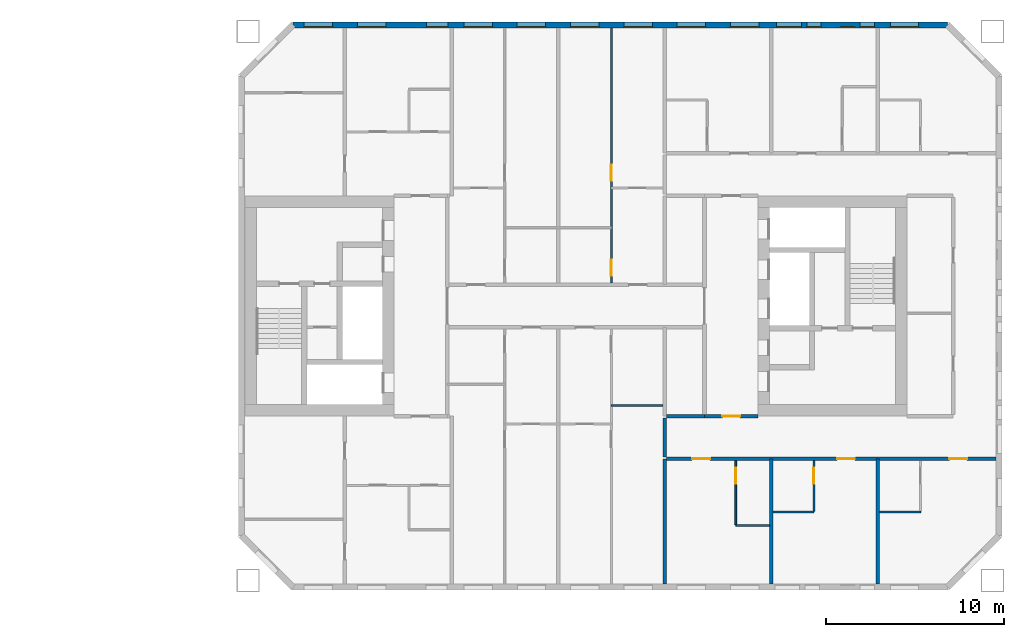
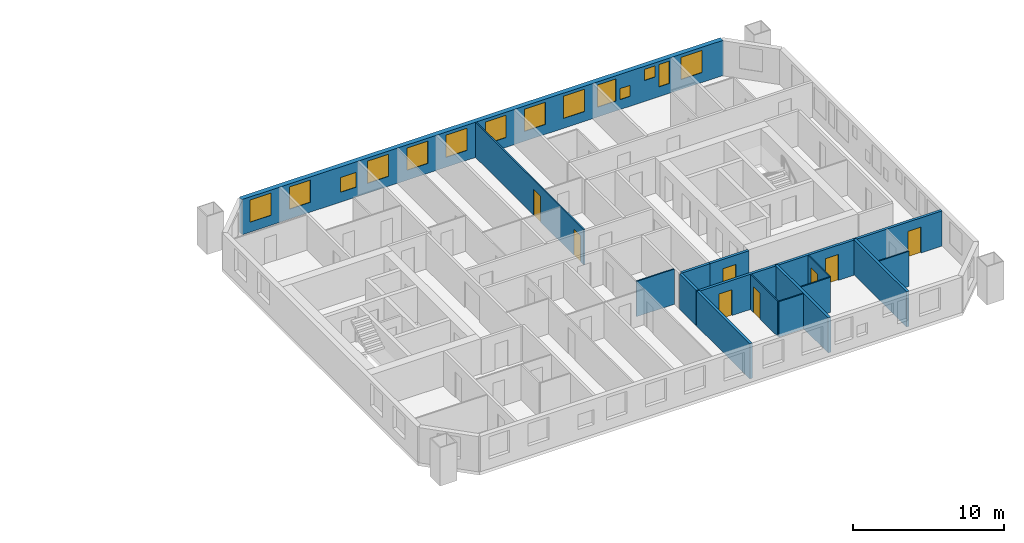
# One storey, part 12 of 17: 15 walls, 14 windows, 8 doors, 22 openings.
"""IFC4 building model written with IfcOpenShell, lengths in metres."""

from ifc_helpers import new_model, si_unit, direction, frame, frame_2d, origin, place, context, subcontext, project, spatial, rectangle, extrude, material, layer, layer_set, type_object, element, fill, save


model = new_model("IFC4")

# Units and contexts
model_context = context("Model", 3, precision=1e-05, world=origin(), true_north=direction((0.0, 1.0)))
body_context = subcontext(model_context, "Body", "Model", "MODEL_VIEW")
ifc_project = project(units=[si_unit("LENGTHUNIT", "METRE"), si_unit("AREAUNIT", "SQUARE_METRE"), si_unit("VOLUMEUNIT", "CUBIC_METRE"), si_unit("PLANEANGLEUNIT", "RADIAN"), si_unit("MASSUNIT", "GRAM", prefix="KILO")], contexts=[model_context])

# Site, building, storey
site_placement = place(None, origin())
site = spatial("IfcSite", under=ifc_project, at=site_placement, CompositionType="ELEMENT")
building_placement = place(site_placement, origin())
building = spatial("IfcBuilding", under=site, at=building_placement, Name="Tuart Gate Housing", CompositionType="ELEMENT")
storey_placement = place(building_placement, frame((0.0, 0.0, 102.60009765625)))
storey = spatial("IfcBuildingStorey", under=building, at=storey_placement, Name="L28", CompositionType="ELEMENT", Elevation=102.60009765625)

# Wall, openings, windows
ifc_material_1 = material(Name="Brick", Category="masonry")
ifc_layer_1 = layer(ifc_material_1, 0.360107421875)
ifc_layer_set_1 = layer_set([ifc_layer_1], Name="Brick pier and spandrel wall 360")
wall_type_1 = type_object("IfcWallType", Name="Brick pier and spandrel wall 360", PredefinedType="STANDARD", material=ifc_layer_set_1)
wall_1_placement = place(storey_placement, frame((170.92529296875, 85.820068359375, 0.0), z_axis=(0.0, 0.0, 1.0), x_axis=(-1.0, 0.0, 0.0)))
wall_1 = element("IfcWall", 1, at=wall_1_placement, inside=storey, type_object=wall_type_1, Name="External wall B-N L28", PredefinedType="STANDARD", context=body_context, shape_type="SweptSolid", body=[
    extrude(rectangle(XDim=36.850830078125, YDim=0.360107421875, at=frame_2d((18.42529296875, 0.0))), origin(), (0.0, 0.0, 1.0), 2.849853515625),
])
opening_1_placement = place(wall_1_placement, frame((1.62548828125, 0.0, 0.800048828125)))
opening_1 = element("IfcOpeningElement", 2, at=opening_1_placement, cuts=wall_1, Name="Opening W1", PredefinedType="OPENING", context=body_context, shape_type="SweptSolid", body=[
    extrude(rectangle(XDim=1.60009765625, YDim=1.800048828125, at=frame_2d((0.800048828125, 0.89990234375))), frame((0.0, 0.18994140625, 0.0), z_axis=(0.0, -1.0, 0.0), x_axis=(1.0, 0.0, 0.0)), (0.0, 0.0, 1.0), 0.380126953125),
])
opening_2_placement = place(wall_1_placement, frame((4.12548828125, 0.0, 0.800048828125)))
opening_2 = element("IfcOpeningElement", 3, at=opening_2_placement, cuts=wall_1, Name="Opening W1D", PredefinedType="OPENING", context=body_context, shape_type="SweptSolid", body=[
    extrude(rectangle(XDim=0.800048828125, YDim=1.800048828125, at=frame_2d((0.39990234375, 0.89990234375))), frame((0.0, 0.18994140625, 0.0), z_axis=(0.0, -1.0, 0.0), x_axis=(1.0, 0.0, 0.0)), (0.0, 0.0, 1.0), 0.380126953125),
])
opening_3_placement = place(wall_1_placement, frame((5.225341796875, 0.0, 1.699951171875)))
opening_3 = element("IfcOpeningElement", 4, at=opening_3_placement, cuts=wall_1, Name="Opening W1V", PredefinedType="OPENING", context=body_context, shape_type="SweptSolid", body=[
    extrude(rectangle(XDim=0.800048828125, YDim=0.89990234375, at=frame_2d((0.39990234375, 0.449951171875))), frame((0.0, 0.18994140625, 0.0), z_axis=(0.0, -1.0, 0.0), x_axis=(1.0, 0.0, 0.0)), (0.0, 0.0, 1.0), 0.380126953125),
])
opening_4_placement = place(wall_1_placement, frame((10.62548828125, 0.0, 0.800048828125)))
opening_4 = element("IfcOpeningElement", 5, at=opening_4_placement, cuts=wall_1, Name="Opening W1", PredefinedType="OPENING", context=body_context, shape_type="SweptSolid", body=[
    extrude(rectangle(XDim=1.60009765625, YDim=1.800048828125, at=frame_2d((0.800048828125, 0.89990234375))), frame((0.0, 0.18994140625, 0.0), z_axis=(0.0, -1.0, 0.0), x_axis=(1.0, 0.0, 0.0)), (0.0, 0.0, 1.0), 0.380126953125),
])
opening_5_placement = place(wall_1_placement, frame((13.62548828125, 0.0, 0.800048828125)))
opening_5 = element("IfcOpeningElement", 6, at=opening_5_placement, cuts=wall_1, Name="Opening W1", PredefinedType="OPENING", context=body_context, shape_type="SweptSolid", body=[
    extrude(rectangle(XDim=1.60009765625, YDim=1.800048828125, at=frame_2d((0.800048828125, 0.89990234375))), frame((0.0, 0.18994140625, 0.0), z_axis=(0.0, -1.0, 0.0), x_axis=(1.0, 0.0, 0.0)), (0.0, 0.0, 1.0), 0.380126953125),
])
opening_6_placement = place(wall_1_placement, frame((16.62548828125, 0.0, 0.800048828125)))
opening_6 = element("IfcOpeningElement", 7, at=opening_6_placement, cuts=wall_1, Name="Opening W1", PredefinedType="OPENING", context=body_context, shape_type="SweptSolid", body=[
    extrude(rectangle(XDim=1.60009765625, YDim=1.800048828125, at=frame_2d((0.800048828125, 0.89990234375))), frame((0.0, 0.18994140625, 0.0), z_axis=(0.0, -1.0, 0.0), x_axis=(1.0, 0.0, 0.0)), (0.0, 0.0, 1.0), 0.380126953125),
])
opening_7_placement = place(wall_1_placement, frame((19.62548828125, 0.0, 0.800048828125)))
opening_7 = element("IfcOpeningElement", 8, at=opening_7_placement, cuts=wall_1, Name="Opening W1", PredefinedType="OPENING", context=body_context, shape_type="SweptSolid", body=[
    extrude(rectangle(XDim=1.60009765625, YDim=1.800048828125, at=frame_2d((0.800048828125, 0.89990234375))), frame((0.0, 0.18994140625, 0.0), z_axis=(0.0, -1.0, 0.0), x_axis=(1.0, 0.0, 0.0)), (0.0, 0.0, 1.0), 0.380126953125),
])
opening_8_placement = place(wall_1_placement, frame((22.62548828125, 0.0, 0.800048828125)))
opening_8 = element("IfcOpeningElement", 9, at=opening_8_placement, cuts=wall_1, Name="Opening W1", PredefinedType="OPENING", context=body_context, shape_type="SweptSolid", body=[
    extrude(rectangle(XDim=1.60009765625, YDim=1.800048828125, at=frame_2d((0.800048828125, 0.89990234375))), frame((0.0, 0.18994140625, 0.0), z_axis=(0.0, -1.0, 0.0), x_axis=(1.0, 0.0, 0.0)), (0.0, 0.0, 1.0), 0.380126953125),
])
opening_9_placement = place(wall_1_placement, frame((25.62548828125, 0.0, 0.800048828125)))
opening_9 = element("IfcOpeningElement", 10, at=opening_9_placement, cuts=wall_1, Name="Opening W1", PredefinedType="OPENING", context=body_context, shape_type="SweptSolid", body=[
    extrude(rectangle(XDim=1.60009765625, YDim=1.800048828125, at=frame_2d((0.800048828125, 0.89990234375))), frame((0.0, 0.18994140625, 0.0), z_axis=(0.0, -1.0, 0.0), x_axis=(1.0, 0.0, 0.0)), (0.0, 0.0, 1.0), 0.380126953125),
])
opening_10_placement = place(wall_1_placement, frame((28.12548828125, 0.0, 0.800048828125)))
opening_10 = element("IfcOpeningElement", 11, at=opening_10_placement, cuts=wall_1, Name="Opening W1N", PredefinedType="OPENING", context=body_context, shape_type="SweptSolid", body=[
    extrude(rectangle(XDim=1.199951171875, YDim=1.199951171875, at=frame_2d((0.60009765625, 0.60009765625))), frame((0.0, 0.18994140625, 0.0), z_axis=(0.0, -1.0, 0.0), x_axis=(1.0, 0.0, 0.0)), (0.0, 0.0, 1.0), 0.380126953125),
])
opening_11_placement = place(wall_1_placement, frame((31.62548828125, 0.0, 0.800048828125)))
opening_11 = element("IfcOpeningElement", 12, at=opening_11_placement, cuts=wall_1, Name="Opening W1", PredefinedType="OPENING", context=body_context, shape_type="SweptSolid", body=[
    extrude(rectangle(XDim=1.60009765625, YDim=1.800048828125, at=frame_2d((0.800048828125, 0.89990234375))), frame((0.0, 0.18994140625, 0.0), z_axis=(0.0, -1.0, 0.0), x_axis=(1.0, 0.0, 0.0)), (0.0, 0.0, 1.0), 0.380126953125),
])
opening_12_placement = place(wall_1_placement, frame((34.62548828125, 0.0, 0.800048828125)))
opening_12 = element("IfcOpeningElement", 13, at=opening_12_placement, cuts=wall_1, Name="Opening W1", PredefinedType="OPENING", context=body_context, shape_type="SweptSolid", body=[
    extrude(rectangle(XDim=1.60009765625, YDim=1.800048828125, at=frame_2d((0.800048828125, 0.89990234375))), frame((0.0, 0.18994140625, 0.0), z_axis=(0.0, -1.0, 0.0), x_axis=(1.0, 0.0, 0.0)), (0.0, 0.0, 1.0), 0.380126953125),
])
opening_13_placement = place(wall_1_placement, frame((7.12548828125, 0.0, 0.800048828125)))
opening_13 = element("IfcOpeningElement", 14, at=opening_13_placement, cuts=wall_1, Name="Opening W1V", PredefinedType="OPENING", context=body_context, shape_type="SweptSolid", body=[
    extrude(rectangle(XDim=0.800048828125, YDim=0.89990234375, at=frame_2d((0.39990234375, 0.449951171875))), frame((0.0, 0.18994140625, 0.0), z_axis=(0.0, -1.0, 0.0), x_axis=(1.0, 0.0, 0.0)), (0.0, 0.0, 1.0), 0.380126953125),
])
opening_14_placement = place(wall_1_placement, frame((8.225341796875, 0.0, 0.800048828125)))
opening_14 = element("IfcOpeningElement", 15, at=opening_14_placement, cuts=wall_1, Name="Opening W1A", PredefinedType="OPENING", context=body_context, shape_type="SweptSolid", body=[
    extrude(rectangle(XDim=1.39990234375, YDim=1.800048828125, at=frame_2d((0.699951171875, 0.89990234375))), frame((0.0, 0.18994140625, 0.0), z_axis=(0.0, -1.0, 0.0), x_axis=(1.0, 0.0, 0.0)), (0.0, 0.0, 1.0), 0.380126953125),
])
ifc_material_2 = material(Name="Aluminium frame with clear glass", Category="aluminium")
window_type_1 = type_object("IfcWindowType", Name="Punched window 1200 x 1200", PartitioningType="SINGLE_PANEL", PredefinedType="WINDOW", material=ifc_material_2)
window_1_placement = place(opening_10_placement, origin())
window_1 = element("IfcWindow", 16, at=window_1_placement, inside=storey, type_object=window_type_1, Name="Window W1N", OverallHeight=1.199951171875, OverallWidth=1.199951171875, PartitioningType="SINGLE_PANEL", PredefinedType="WINDOW", context=body_context, shape_type="SweptSolid", body=[
    extrude(rectangle(XDim=1.199951171875, YDim=1.199951171875, at=frame_2d((0.60009765625, 0.60009765625))), frame((0.0, 0.150146484375, 0.0), z_axis=(0.0, -1.0, 0.0), x_axis=(1.0, 0.0, 0.0)), (0.0, 0.0, 1.0), 0.06005859375),
])
fill(opening_10, window_1)
ifc_material_3 = material(Name="Aluminium frame with clear glass", Category="aluminium")
window_type_2 = type_object("IfcWindowType", Name="Punched window 1400 x 1800", PartitioningType="SINGLE_PANEL", PredefinedType="WINDOW", material=ifc_material_3)
window_2_placement = place(opening_14_placement, origin())
window_2 = element("IfcWindow", 17, at=window_2_placement, inside=storey, type_object=window_type_2, Name="Window W1A", OverallHeight=1.800048828125, OverallWidth=1.39990234375, PartitioningType="SINGLE_PANEL", PredefinedType="WINDOW", context=body_context, shape_type="SweptSolid", body=[
    extrude(rectangle(XDim=1.39990234375, YDim=1.800048828125, at=frame_2d((0.699951171875, 0.89990234375))), frame((0.0, 0.150146484375, 0.0), z_axis=(0.0, -1.0, 0.0), x_axis=(1.0, 0.0, 0.0)), (0.0, 0.0, 1.0), 0.06005859375),
])
fill(opening_14, window_2)
ifc_material_4 = material(Name="Aluminium frame with clear glass", Category="aluminium")
window_type_3 = type_object("IfcWindowType", Name="Punched window 1600 x 1800", PartitioningType="SINGLE_PANEL", PredefinedType="WINDOW", material=ifc_material_4)
window_3_placement = place(opening_1_placement, origin())
window_3 = element("IfcWindow", 18, at=window_3_placement, inside=storey, type_object=window_type_3, Name="Window W1", OverallHeight=1.800048828125, OverallWidth=1.60009765625, PartitioningType="SINGLE_PANEL", PredefinedType="WINDOW", context=body_context, shape_type="SweptSolid", body=[
    extrude(rectangle(XDim=1.60009765625, YDim=1.800048828125, at=frame_2d((0.800048828125, 0.89990234375))), frame((0.0, 0.150146484375, 0.0), z_axis=(0.0, -1.0, 0.0), x_axis=(1.0, 0.0, 0.0)), (0.0, 0.0, 1.0), 0.06005859375),
])
fill(opening_1, window_3)
window_4_placement = place(opening_4_placement, origin())
window_4 = element("IfcWindow", 19, at=window_4_placement, inside=storey, type_object=window_type_3, Name="Window W1", OverallHeight=1.800048828125, OverallWidth=1.60009765625, PartitioningType="SINGLE_PANEL", PredefinedType="WINDOW", context=body_context, shape_type="SweptSolid", body=[
    extrude(rectangle(XDim=1.60009765625, YDim=1.800048828125, at=frame_2d((0.800048828125, 0.89990234375))), frame((0.0, 0.150146484375, 0.0), z_axis=(0.0, -1.0, 0.0), x_axis=(1.0, 0.0, 0.0)), (0.0, 0.0, 1.0), 0.06005859375),
])
fill(opening_4, window_4)
window_5_placement = place(opening_5_placement, origin())
window_5 = element("IfcWindow", 20, at=window_5_placement, inside=storey, type_object=window_type_3, Name="Window W1", OverallHeight=1.800048828125, OverallWidth=1.60009765625, PartitioningType="SINGLE_PANEL", PredefinedType="WINDOW", context=body_context, shape_type="SweptSolid", body=[
    extrude(rectangle(XDim=1.60009765625, YDim=1.800048828125, at=frame_2d((0.800048828125, 0.89990234375))), frame((0.0, 0.150146484375, 0.0), z_axis=(0.0, -1.0, 0.0), x_axis=(1.0, 0.0, 0.0)), (0.0, 0.0, 1.0), 0.06005859375),
])
fill(opening_5, window_5)
window_6_placement = place(opening_6_placement, origin())
window_6 = element("IfcWindow", 21, at=window_6_placement, inside=storey, type_object=window_type_3, Name="Window W1", OverallHeight=1.800048828125, OverallWidth=1.60009765625, PartitioningType="SINGLE_PANEL", PredefinedType="WINDOW", context=body_context, shape_type="SweptSolid", body=[
    extrude(rectangle(XDim=1.60009765625, YDim=1.800048828125, at=frame_2d((0.800048828125, 0.89990234375))), frame((0.0, 0.150146484375, 0.0), z_axis=(0.0, -1.0, 0.0), x_axis=(1.0, 0.0, 0.0)), (0.0, 0.0, 1.0), 0.06005859375),
])
fill(opening_6, window_6)
window_7_placement = place(opening_7_placement, origin())
window_7 = element("IfcWindow", 22, at=window_7_placement, inside=storey, type_object=window_type_3, Name="Window W1", OverallHeight=1.800048828125, OverallWidth=1.60009765625, PartitioningType="SINGLE_PANEL", PredefinedType="WINDOW", context=body_context, shape_type="SweptSolid", body=[
    extrude(rectangle(XDim=1.60009765625, YDim=1.800048828125, at=frame_2d((0.800048828125, 0.89990234375))), frame((0.0, 0.150146484375, 0.0), z_axis=(0.0, -1.0, 0.0), x_axis=(1.0, 0.0, 0.0)), (0.0, 0.0, 1.0), 0.06005859375),
])
fill(opening_7, window_7)
window_8_placement = place(opening_8_placement, origin())
window_8 = element("IfcWindow", 23, at=window_8_placement, inside=storey, type_object=window_type_3, Name="Window W1", OverallHeight=1.800048828125, OverallWidth=1.60009765625, PartitioningType="SINGLE_PANEL", PredefinedType="WINDOW", context=body_context, shape_type="SweptSolid", body=[
    extrude(rectangle(XDim=1.60009765625, YDim=1.800048828125, at=frame_2d((0.800048828125, 0.89990234375))), frame((0.0, 0.150146484375, 0.0), z_axis=(0.0, -1.0, 0.0), x_axis=(1.0, 0.0, 0.0)), (0.0, 0.0, 1.0), 0.06005859375),
])
fill(opening_8, window_8)
window_9_placement = place(opening_9_placement, origin())
window_9 = element("IfcWindow", 24, at=window_9_placement, inside=storey, type_object=window_type_3, Name="Window W1", OverallHeight=1.800048828125, OverallWidth=1.60009765625, PartitioningType="SINGLE_PANEL", PredefinedType="WINDOW", context=body_context, shape_type="SweptSolid", body=[
    extrude(rectangle(XDim=1.60009765625, YDim=1.800048828125, at=frame_2d((0.800048828125, 0.89990234375))), frame((0.0, 0.150146484375, 0.0), z_axis=(0.0, -1.0, 0.0), x_axis=(1.0, 0.0, 0.0)), (0.0, 0.0, 1.0), 0.06005859375),
])
fill(opening_9, window_9)
window_10_placement = place(opening_11_placement, origin())
window_10 = element("IfcWindow", 25, at=window_10_placement, inside=storey, type_object=window_type_3, Name="Window W1", OverallHeight=1.800048828125, OverallWidth=1.60009765625, PartitioningType="SINGLE_PANEL", PredefinedType="WINDOW", context=body_context, shape_type="SweptSolid", body=[
    extrude(rectangle(XDim=1.60009765625, YDim=1.800048828125, at=frame_2d((0.800048828125, 0.89990234375))), frame((0.0, 0.150146484375, 0.0), z_axis=(0.0, -1.0, 0.0), x_axis=(1.0, 0.0, 0.0)), (0.0, 0.0, 1.0), 0.06005859375),
])
fill(opening_11, window_10)
window_11_placement = place(opening_12_placement, origin())
window_11 = element("IfcWindow", 26, at=window_11_placement, inside=storey, type_object=window_type_3, Name="Window W1", OverallHeight=1.800048828125, OverallWidth=1.60009765625, PartitioningType="SINGLE_PANEL", PredefinedType="WINDOW", context=body_context, shape_type="SweptSolid", body=[
    extrude(rectangle(XDim=1.60009765625, YDim=1.800048828125, at=frame_2d((0.800048828125, 0.89990234375))), frame((0.0, 0.150146484375, 0.0), z_axis=(0.0, -1.0, 0.0), x_axis=(1.0, 0.0, 0.0)), (0.0, 0.0, 1.0), 0.06005859375),
])
fill(opening_12, window_11)
ifc_material_5 = material(Name="Aluminium frame with clear glass", Category="aluminium")
window_type_4 = type_object("IfcWindowType", Name="Punched window 800 x 1800", PartitioningType="SINGLE_PANEL", PredefinedType="WINDOW", material=ifc_material_5)
window_12_placement = place(opening_2_placement, origin())
window_12 = element("IfcWindow", 27, at=window_12_placement, inside=storey, type_object=window_type_4, Name="Window W1D", OverallHeight=1.800048828125, OverallWidth=0.800048828125, PartitioningType="SINGLE_PANEL", PredefinedType="WINDOW", context=body_context, shape_type="SweptSolid", body=[
    extrude(rectangle(XDim=0.800048828125, YDim=1.800048828125, at=frame_2d((0.39990234375, 0.89990234375))), frame((0.0, 0.150146484375, 0.0), z_axis=(0.0, -1.0, 0.0), x_axis=(1.0, 0.0, 0.0)), (0.0, 0.0, 1.0), 0.06005859375),
])
fill(opening_2, window_12)
ifc_material_6 = material(Name="Aluminium frame with clear glass", Category="aluminium")
window_type_5 = type_object("IfcWindowType", Name="Punched window 800 x 900", PartitioningType="SINGLE_PANEL", PredefinedType="WINDOW", material=ifc_material_6)
window_13_placement = place(opening_3_placement, origin())
window_13 = element("IfcWindow", 28, at=window_13_placement, inside=storey, type_object=window_type_5, Name="Window W1V", OverallHeight=0.89990234375, OverallWidth=0.800048828125, PartitioningType="SINGLE_PANEL", PredefinedType="WINDOW", context=body_context, shape_type="SweptSolid", body=[
    extrude(rectangle(XDim=0.800048828125, YDim=0.89990234375, at=frame_2d((0.39990234375, 0.449951171875))), frame((0.0, 0.150146484375, 0.0), z_axis=(0.0, -1.0, 0.0), x_axis=(1.0, 0.0, 0.0)), (0.0, 0.0, 1.0), 0.06005859375),
])
fill(opening_3, window_13)
window_14_placement = place(opening_13_placement, origin())
window_14 = element("IfcWindow", 29, at=window_14_placement, inside=storey, type_object=window_type_5, Name="Window W1V", OverallHeight=0.89990234375, OverallWidth=0.800048828125, PartitioningType="SINGLE_PANEL", PredefinedType="WINDOW", context=body_context, shape_type="SweptSolid", body=[
    extrude(rectangle(XDim=0.800048828125, YDim=0.89990234375, at=frame_2d((0.39990234375, 0.449951171875))), frame((0.0, 0.150146484375, 0.0), z_axis=(0.0, -1.0, 0.0), x_axis=(1.0, 0.0, 0.0)), (0.0, 0.0, 1.0), 0.06005859375),
])
fill(opening_13, window_14)

# Wall, openings, doors
ifc_material_7 = material(Name="Concrete masonry 15 MPa", Category="masonry")
ifc_layer_2 = layer(ifc_material_7, 0.199951171875)
ifc_layer_set_2 = layer_set([ifc_layer_2], Name="Corridor wall masonry 200")
wall_type_2 = type_object("IfcWallType", Name="Corridor wall masonry 200", PredefinedType="PARTITIONING", material=ifc_layer_set_2)
wall_2_placement = place(storey_placement, frame((155.10009765625, 61.39990234375, 0.0), z_axis=(0.0, 0.0, 1.0), x_axis=(1.0, 0.0, 0.0)))
wall_2 = element("IfcWall", 30, at=wall_2_placement, inside=storey, type_object=wall_type_2, Name="Corridor wall masonry 200", PredefinedType="PARTITIONING", context=body_context, shape_type="SweptSolid", body=[
    extrude(rectangle(XDim=18.539794921875, YDim=0.199951171875, at=frame_2d((9.27001953125, 0.0))), origin(), (0.0, 0.0, 1.0), 2.849853515625),
])
opening_15_placement = place(wall_2_placement, frame((1.449951171875, 0.0, 0.0)))
opening_15 = element("IfcOpeningElement", 31, at=opening_15_placement, cuts=wall_2, Name="Opening D1168", PredefinedType="OPENING", context=body_context, shape_type="SweptSolid", body=[
    extrude(rectangle(XDim=1.0, YDim=2.10009765625, at=frame_2d((0.5, 1.050048828125))), frame((0.0, 0.10986328125, 0.0), z_axis=(0.0, -1.0, 0.0), x_axis=(1.0, 0.0, 0.0)), (0.0, 0.0, 1.0), 0.219970703125),
])
opening_16_placement = place(wall_2_placement, frame((9.60009765625, 0.0, 0.0)))
opening_16 = element("IfcOpeningElement", 32, at=opening_16_placement, cuts=wall_2, Name="Opening D1169", PredefinedType="OPENING", context=body_context, shape_type="SweptSolid", body=[
    extrude(rectangle(XDim=1.0, YDim=2.10009765625, at=frame_2d((0.5, 1.050048828125))), frame((0.0, 0.10986328125, 0.0), z_axis=(0.0, -1.0, 0.0), x_axis=(1.0, 0.0, 0.0)), (0.0, 0.0, 1.0), 0.219970703125),
])
opening_17_placement = place(wall_2_placement, frame((15.919921875, 0.0, 0.0)))
opening_17 = element("IfcOpeningElement", 33, at=opening_17_placement, cuts=wall_2, Name="Opening D1170", PredefinedType="OPENING", context=body_context, shape_type="SweptSolid", body=[
    extrude(rectangle(XDim=1.0, YDim=2.10009765625, at=frame_2d((0.5, 1.050048828125))), frame((0.0, 0.10986328125, 0.0), z_axis=(0.0, -1.0, 0.0), x_axis=(1.0, 0.0, 0.0)), (0.0, 0.0, 1.0), 0.219970703125),
])
ifc_material_8 = material(Name="Timber door leaf in steel frame", Category="steel")
door_type_1 = type_object("IfcDoorType", Name="Flat entrance door 1000", OperationType="SINGLE_SWING_LEFT", PredefinedType="DOOR", material=ifc_material_8)
door_1_placement = place(opening_15_placement, frame((1.0, 0.0, 0.0), z_axis=(0.0, 0.0, 1.0), x_axis=(-1.0, 0.0, 0.0)))
door_1 = element("IfcDoor", 34, at=door_1_placement, inside=storey, type_object=door_type_1, Name="Flat entrance door", OperationType="SINGLE_SWING_LEFT", OverallHeight=2.10009765625, OverallWidth=1.0, PredefinedType="DOOR", context=body_context, shape_type="SweptSolid", body=[
    extrude(rectangle(XDim=1.0, YDim=2.10009765625, at=frame_2d((0.5, 1.050048828125))), frame((0.0, 0.025146484375, 0.0), z_axis=(0.0, -1.0, 0.0), x_axis=(1.0, 0.0, 0.0)), (0.0, 0.0, 1.0), 0.050048828125),
])
fill(opening_15, door_1)
ifc_material_9 = material(Name="Timber door leaf in steel frame", Category="steel")
door_type_2 = type_object("IfcDoorType", Name="Flat entrance door 1000 RH", OperationType="SINGLE_SWING_RIGHT", PredefinedType="DOOR", material=ifc_material_9)
door_2_placement = place(opening_16_placement, frame((1.0, 0.0, 0.0), z_axis=(0.0, 0.0, 1.0), x_axis=(-1.0, 0.0, 0.0)))
door_2 = element("IfcDoor", 35, at=door_2_placement, inside=storey, type_object=door_type_2, Name="Flat entrance door", OperationType="SINGLE_SWING_RIGHT", OverallHeight=2.10009765625, OverallWidth=1.0, PredefinedType="DOOR", context=body_context, shape_type="SweptSolid", body=[
    extrude(rectangle(XDim=1.0, YDim=2.10009765625, at=frame_2d((0.5, 1.050048828125))), frame((0.0, 0.025146484375, 0.0), z_axis=(0.0, -1.0, 0.0), x_axis=(1.0, 0.0, 0.0)), (0.0, 0.0, 1.0), 0.050048828125),
])
fill(opening_16, door_2)
door_3_placement = place(opening_17_placement, frame((1.0, 0.0, 0.0), z_axis=(0.0, 0.0, 1.0), x_axis=(-1.0, 0.0, 0.0)))
door_3 = element("IfcDoor", 36, at=door_3_placement, inside=storey, type_object=door_type_2, Name="Flat entrance door", OperationType="SINGLE_SWING_RIGHT", OverallHeight=2.10009765625, OverallWidth=1.0, PredefinedType="DOOR", context=body_context, shape_type="SweptSolid", body=[
    extrude(rectangle(XDim=1.0, YDim=2.10009765625, at=frame_2d((0.5, 1.050048828125))), frame((0.0, 0.025146484375, 0.0), z_axis=(0.0, -1.0, 0.0), x_axis=(1.0, 0.0, 0.0)), (0.0, 0.0, 1.0), 0.050048828125),
])
fill(opening_17, door_3)

# Walls
wall_3_placement = place(storey_placement, frame((155.10009765625, 63.800048828125, 0.0), z_axis=(0.0, 0.0, 1.0), x_axis=(1.0, 0.0, 0.0)))
element("IfcWall", 37, at=wall_3_placement, inside=storey, type_object=wall_type_2, Name="Corridor wall masonry 200", PredefinedType="PARTITIONING", context=body_context, shape_type="SweptSolid", body=[
    extrude(rectangle(XDim=2.139892578125, YDim=0.199951171875, at=frame_2d((1.06982421875, 0.0))), origin(), (0.0, 0.0, 1.0), 2.849853515625),
])
wall_4_placement = place(storey_placement, frame((155.0, 61.5, 0.0), z_axis=(0.0, 0.0, 1.0), x_axis=(0.0, 1.0, 0.0)))
element("IfcWall", 38, at=wall_4_placement, inside=storey, type_object=wall_type_2, Name="Corridor wall masonry 200", PredefinedType="PARTITIONING", context=body_context, shape_type="SweptSolid", body=[
    extrude(rectangle(XDim=2.199951171875, YDim=0.199951171875, at=frame_2d((1.10009765625, 0.0))), origin(), (0.0, 0.0, 1.0), 2.849853515625),
])

# Wall, opening, door
ifc_material_10 = material(Name="Concrete masonry 15 MPa", Category="masonry")
ifc_layer_3 = layer(ifc_material_10, 0.199951171875)
ifc_layer_set_3 = layer_set([ifc_layer_3], Name="Enclosure wall masonry 200")
wall_type_3 = type_object("IfcWallType", Name="Enclosure wall masonry 200", PredefinedType="PARTITIONING", material=ifc_layer_set_3)
wall_5_placement = place(storey_placement, frame((157.239990234375, 63.800048828125, 0.0), z_axis=(0.0, 0.0, 1.0), x_axis=(1.0, 0.0, 0.0)))
wall_5 = element("IfcWall", 39, at=wall_5_placement, inside=storey, type_object=wall_type_3, Name="Enclosure wall masonry 200", PredefinedType="PARTITIONING", context=body_context, shape_type="SweptSolid", body=[
    extrude(rectangle(XDim=3.0, YDim=0.199951171875, at=frame_2d((1.5, 0.0))), origin(), (0.0, 0.0, 1.0), 2.849853515625),
])
opening_18_placement = place(wall_5_placement, frame((1.0, 0.0, 0.0)))
opening_18 = element("IfcOpeningElement", 40, at=opening_18_placement, cuts=wall_5, Name="Opening D1161", PredefinedType="OPENING", context=body_context, shape_type="SweptSolid", body=[
    extrude(rectangle(XDim=1.0, YDim=2.10009765625, at=frame_2d((0.5, 1.050048828125))), frame((0.0, 0.10986328125, 0.0), z_axis=(0.0, -1.0, 0.0), x_axis=(1.0, 0.0, 0.0)), (0.0, 0.0, 1.0), 0.219970703125),
])
ifc_material_11 = material(Name="Timber door leaf in steel frame", Category="steel")
door_type_3 = type_object("IfcDoorType", Name="Fire door 1000 RH", OperationType="SINGLE_SWING_RIGHT", PredefinedType="DOOR", material=ifc_material_11)
door_4_placement = place(opening_18_placement, frame((1.0, 0.0, 0.0), z_axis=(0.0, 0.0, 1.0), x_axis=(-1.0, 0.0, 0.0)))
door_4 = element("IfcDoor", 41, at=door_4_placement, inside=storey, type_object=door_type_3, Name="Fire door", OperationType="SINGLE_SWING_RIGHT", OverallHeight=2.10009765625, OverallWidth=1.0, PredefinedType="DOOR", context=body_context, shape_type="SweptSolid", body=[
    extrude(rectangle(XDim=1.0, YDim=2.10009765625, at=frame_2d((0.5, 1.050048828125))), frame((0.0, 0.025146484375, 0.0), z_axis=(0.0, -1.0, 0.0), x_axis=(1.0, 0.0, 0.0)), (0.0, 0.0, 1.0), 0.050048828125),
])
fill(opening_18, door_4)

# Walls
ifc_material_12 = material(Name="Gypsum board on steel studs", Category="steel")
ifc_layer_4 = layer(ifc_material_12, 0.10009765625)
ifc_layer_set_4 = layer_set([ifc_layer_4], Name="Partition 100")
wall_type_4 = type_object("IfcWallType", Name="Partition 100", PredefinedType="PARTITIONING", material=ifc_layer_set_4)
wall_6_placement = place(storey_placement, frame((159.0, 57.64990234375, 0.0), z_axis=(0.0, 0.0, 1.0), x_axis=(1.0, 0.0, 0.0)))
element("IfcWall", 42, at=wall_6_placement, inside=storey, type_object=wall_type_4, Name="Partition 100", PredefinedType="PARTITIONING", context=body_context, shape_type="SweptSolid", body=[
    extrude(rectangle(XDim=1.89990234375, YDim=0.10009765625, at=frame_2d((0.949951171875, 0.0))), origin(), (0.0, 0.0, 1.0), 2.849853515625),
])
for number, where, z_axis, x_axis, name in (
    (43, (161.10009765625, 58.39990234375, 0.0), (0.0, 0.0, 1.0), (1.0, 0.0, 0.0), "Partition 100"),
    (44, (167.10009765625, 58.39990234375, 0.0), (0.0, 0.0, 1.0), (1.0, 0.0, 0.0), "Partition 100"),
):
    element("IfcWall", number, at=place(storey_placement, frame(where, z_axis=z_axis, x_axis=x_axis)), inside=storey, type_object=wall_type_4, Name=name, PredefinedType="PARTITIONING", context=body_context, shape_type="SweptSolid", body=[
        extrude(rectangle(XDim=2.2998046875, YDim=0.10009765625, at=frame_2d((1.14990234375, 0.0))), origin(), (0.0, 0.0, 1.0), 2.849853515625),
    ])
wall_7_placement = place(storey_placement, frame((152.0, 64.39990234375, 0.0), z_axis=(0.0, 0.0, 1.0), x_axis=(1.0, 0.0, 0.0)))
element("IfcWall", 45, at=wall_7_placement, inside=storey, type_object=wall_type_4, Name="Partition 100", PredefinedType="PARTITIONING", context=body_context, shape_type="SweptSolid", body=[
    extrude(rectangle(XDim=2.89990234375, YDim=0.10009765625, at=frame_2d((1.449951171875, 0.0))), origin(), (0.0, 0.0, 1.0), 2.849853515625),
])

# Wall, openings, doors
wall_8_placement = place(storey_placement, frame((152.0, 71.300048828125, 0.0), z_axis=(0.0, 0.0, 1.0), x_axis=(0.0, 1.0, 0.0)))
wall_8 = element("IfcWall", 46, at=wall_8_placement, inside=storey, type_object=wall_type_4, Name="Partition 100", PredefinedType="PARTITIONING", context=body_context, shape_type="SweptSolid", body=[
    extrude(rectangle(XDim=14.33984375, YDim=0.10009765625, at=frame_2d((7.169921875, 0.0))), origin(), (0.0, 0.0, 1.0), 2.849853515625),
])
opening_19_placement = place(wall_8_placement, frame((5.739990234375, 0.0, 0.0)))
opening_19 = element("IfcOpeningElement", 47, at=opening_19_placement, cuts=wall_8, Name="Opening D1138", PredefinedType="OPENING", context=body_context, shape_type="SweptSolid", body=[
    extrude(rectangle(XDim=0.89990234375, YDim=2.10009765625, at=frame_2d((0.449951171875, 1.050048828125))), frame((0.0, 0.06005859375, 0.0), z_axis=(0.0, -1.0, 0.0), x_axis=(1.0, 0.0, 0.0)), (0.0, 0.0, 1.0), 0.1201171875),
])
opening_20_placement = place(wall_8_placement, frame((0.39990234375, 0.0, 0.0)))
opening_20 = element("IfcOpeningElement", 48, at=opening_20_placement, cuts=wall_8, Name="Opening D1137", PredefinedType="OPENING", context=body_context, shape_type="SweptSolid", body=[
    extrude(rectangle(XDim=0.89990234375, YDim=2.10009765625, at=frame_2d((0.449951171875, 1.050048828125))), frame((0.0, 0.06005859375, 0.0), z_axis=(0.0, -1.0, 0.0), x_axis=(1.0, 0.0, 0.0)), (0.0, 0.0, 1.0), 0.1201171875),
])
ifc_material_13 = material(Name="Timber door leaf in steel frame", Category="steel")
door_type_4 = type_object("IfcDoorType", Name="Bathroom door 900", OperationType="SINGLE_SWING_LEFT", PredefinedType="DOOR", material=ifc_material_13)
door_5_placement = place(opening_20_placement, origin())
door_5 = element("IfcDoor", 49, at=door_5_placement, inside=storey, type_object=door_type_4, Name="Bathroom door", OperationType="SINGLE_SWING_LEFT", OverallHeight=2.10009765625, OverallWidth=0.89990234375, PredefinedType="DOOR", context=body_context, shape_type="SweptSolid", body=[
    extrude(rectangle(XDim=0.89990234375, YDim=2.10009765625, at=frame_2d((0.449951171875, 1.050048828125))), frame((0.0, 0.02490234375, 0.0), z_axis=(0.0, -1.0, 0.0), x_axis=(1.0, 0.0, 0.0)), (0.0, 0.0, 1.0), 0.050048828125),
])
fill(opening_20, door_5)
ifc_material_14 = material(Name="Timber door leaf in steel frame", Category="steel")
door_type_5 = type_object("IfcDoorType", Name="Internal door 900", OperationType="SINGLE_SWING_LEFT", PredefinedType="DOOR", material=ifc_material_14)
door_6_placement = place(opening_19_placement, origin())
door_6 = element("IfcDoor", 50, at=door_6_placement, inside=storey, type_object=door_type_5, Name="Internal door", OperationType="SINGLE_SWING_LEFT", OverallHeight=2.10009765625, OverallWidth=0.89990234375, PredefinedType="DOOR", context=body_context, shape_type="SweptSolid", body=[
    extrude(rectangle(XDim=0.89990234375, YDim=2.10009765625, at=frame_2d((0.449951171875, 1.050048828125))), frame((0.0, 0.02490234375, 0.0), z_axis=(0.0, -1.0, 0.0), x_axis=(1.0, 0.0, 0.0)), (0.0, 0.0, 1.0), 0.050048828125),
])
fill(opening_19, door_6)

# Wall, opening, door
wall_9_placement = place(storey_placement, frame((159.0, 57.699951171875, 0.0), z_axis=(0.0, 0.0, 1.0), x_axis=(0.0, 1.0, 0.0)))
wall_9 = element("IfcWall", 51, at=wall_9_placement, inside=storey, type_object=wall_type_4, Name="Partition 100", PredefinedType="PARTITIONING", context=body_context, shape_type="SweptSolid", body=[
    extrude(rectangle(XDim=3.60009765625, YDim=0.10009765625, at=frame_2d((1.800048828125, 0.0))), origin(), (0.0, 0.0, 1.0), 2.849853515625),
])
opening_21_placement = place(wall_9_placement, frame((2.300048828125, 0.0, 0.0)))
opening_21 = element("IfcOpeningElement", 52, at=opening_21_placement, cuts=wall_9, Name="Opening D1175", PredefinedType="OPENING", context=body_context, shape_type="SweptSolid", body=[
    extrude(rectangle(XDim=0.89990234375, YDim=2.10009765625, at=frame_2d((0.449951171875, 1.050048828125))), frame((0.0, 0.06005859375, 0.0), z_axis=(0.0, -1.0, 0.0), x_axis=(1.0, 0.0, 0.0)), (0.0, 0.0, 1.0), 0.1201171875),
])
door_7_placement = place(opening_21_placement, frame((0.89990234375, 0.0, 0.0), z_axis=(0.0, 0.0, 1.0), x_axis=(-1.0, 0.0, 0.0)))
door_7 = element("IfcDoor", 53, at=door_7_placement, inside=storey, type_object=door_type_4, Name="Bathroom door", OperationType="SINGLE_SWING_LEFT", OverallHeight=2.10009765625, OverallWidth=0.89990234375, PredefinedType="DOOR", context=body_context, shape_type="SweptSolid", body=[
    extrude(rectangle(XDim=0.89990234375, YDim=2.10009765625, at=frame_2d((0.449951171875, 1.050048828125))), frame((0.0, 0.025146484375, 0.0), z_axis=(0.0, -1.0, 0.0), x_axis=(1.0, 0.0, 0.0)), (0.0, 0.0, 1.0), 0.050048828125),
])
fill(opening_21, door_7)

wall_10_placement = place(storey_placement, frame((163.39990234375, 58.449951171875, 0.0), z_axis=(0.0, 0.0, 1.0), x_axis=(0.0, 1.0, 0.0)))
wall_10 = element("IfcWall", 54, at=wall_10_placement, inside=storey, type_object=wall_type_4, Name="Partition 100", PredefinedType="PARTITIONING", context=body_context, shape_type="SweptSolid", body=[
    extrude(rectangle(XDim=2.85009765625, YDim=0.10009765625, at=frame_2d((1.425048828125, 0.0))), origin(), (0.0, 0.0, 1.0), 2.849853515625),
])
opening_22_placement = place(wall_10_placement, frame((1.550048828125, 0.0, 0.0)))
opening_22 = element("IfcOpeningElement", 55, at=opening_22_placement, cuts=wall_10, Name="Opening D1173", PredefinedType="OPENING", context=body_context, shape_type="SweptSolid", body=[
    extrude(rectangle(XDim=0.89990234375, YDim=2.10009765625, at=frame_2d((0.449951171875, 1.050048828125))), frame((0.0, 0.06005859375, 0.0), z_axis=(0.0, -1.0, 0.0), x_axis=(1.0, 0.0, 0.0)), (0.0, 0.0, 1.0), 0.1201171875),
])
ifc_material_15 = material(Name="Timber door leaf in steel frame", Category="steel")
door_type_6 = type_object("IfcDoorType", Name="Bathroom door 900 RH", OperationType="SINGLE_SWING_RIGHT", PredefinedType="DOOR", material=ifc_material_15)
door_8_placement = place(opening_22_placement, origin())
door_8 = element("IfcDoor", 56, at=door_8_placement, inside=storey, type_object=door_type_6, Name="Bathroom door", OperationType="SINGLE_SWING_RIGHT", OverallHeight=2.10009765625, OverallWidth=0.89990234375, PredefinedType="DOOR", context=body_context, shape_type="SweptSolid", body=[
    extrude(rectangle(XDim=0.89990234375, YDim=2.10009765625, at=frame_2d((0.449951171875, 1.050048828125))), frame((0.0, 0.02490234375, 0.0), z_axis=(0.0, -1.0, 0.0), x_axis=(1.0, 0.0, 0.0)), (0.0, 0.0, 1.0), 0.050048828125),
])
fill(opening_22, door_8)

# Walls
ifc_material_16 = material(Name="Concrete C40", Category="concrete")
ifc_layer_5 = layer(ifc_material_16, 0.199951171875)
ifc_layer_set_5 = layer_set([ifc_layer_5], Name="Party wall concrete C40 200")
wall_type_5 = type_object("IfcWallType", Name="Party wall concrete C40 200", PredefinedType="SOLIDWALL", material=ifc_layer_set_5)
for number, where, z_axis, x_axis, name in (
    (57, (155.0, 54.360107421875, 0.0), (0.0, 0.0, 1.0), (0.0, 1.0, 0.0), "Party wall concrete C40 200"),
    (58, (161.0, 54.360107421875, 0.0), (0.0, 0.0, 1.0), (0.0, 1.0, 0.0), "Party wall concrete C40 200"),
    (59, (167.0, 54.360107421875, 0.0), (0.0, 0.0, 1.0), (0.0, 1.0, 0.0), "Party wall concrete C40 200"),
):
    element("IfcWall", number, at=place(storey_placement, frame(where, z_axis=z_axis, x_axis=x_axis)), inside=storey, type_object=wall_type_5, Name=name, PredefinedType="SOLIDWALL", context=body_context, shape_type="SweptSolid", body=[
        extrude(rectangle(XDim=7.039794921875, YDim=0.199951171875, at=frame_2d((3.52001953125, 0.0))), origin(), (0.0, 0.0, 1.0), 2.849853515625),
    ])

save(model, "model.ifc")
